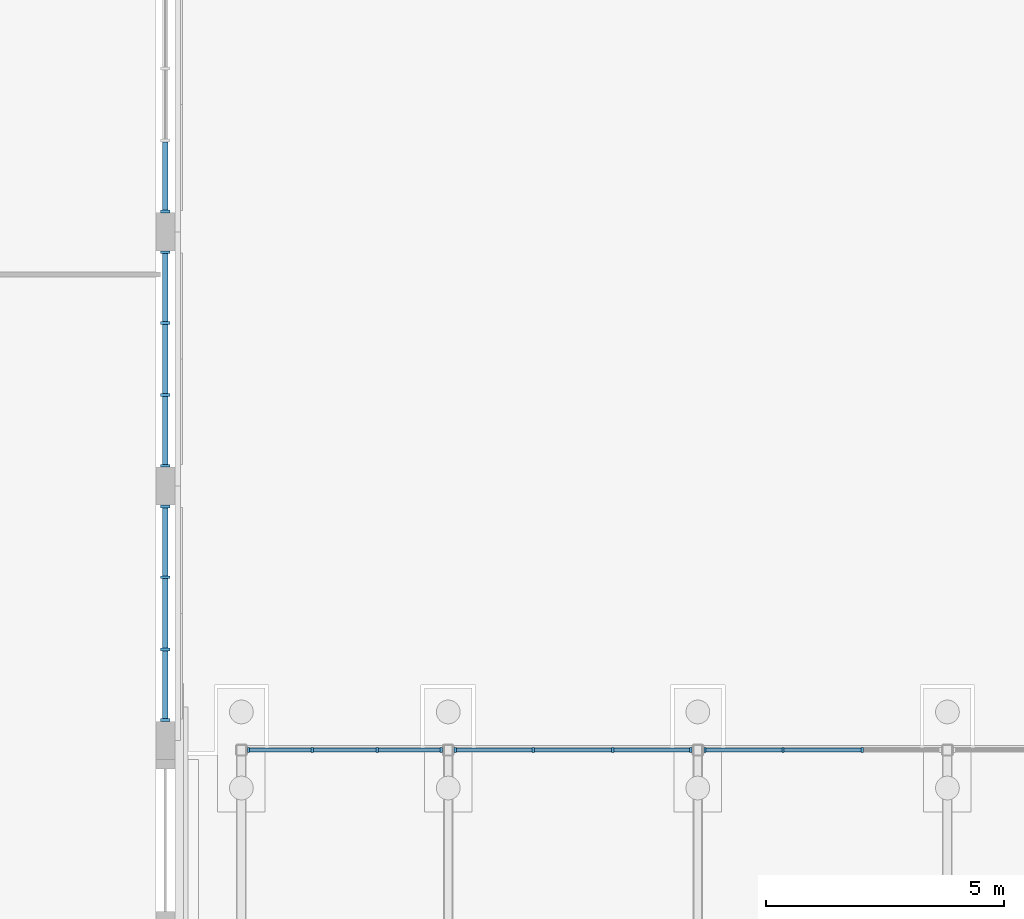
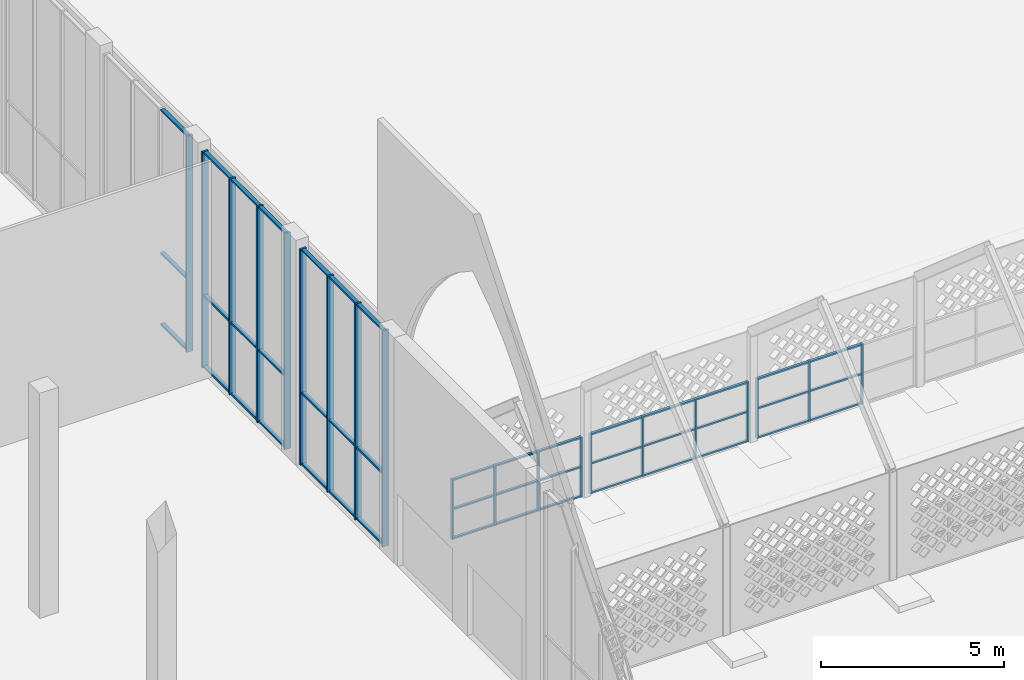
# One storey, part 25 of 79: 65 members, 6 elements without a shape of their own.
"""IFC4 building model written with IfcOpenShell, lengths in metres."""

from ifc_helpers import new_model, si_unit, direction, frame, origin, origin_2d, place, context, subcontext, project, spatial, rectangle, extrude, material, layer, layer_set, material_profile, profile_set, type_object, element, aggregate, save


model = new_model("IFC4")

# Units and contexts
model_context = context("Model", 3, precision=1e-05, world=origin(), true_north=direction((0.0, 1.0)))
body_context = subcontext(model_context, "Body", "Model", "MODEL_VIEW")
ifc_project = project(units=[si_unit("LENGTHUNIT", "METRE"), si_unit("AREAUNIT", "SQUARE_METRE"), si_unit("VOLUMEUNIT", "CUBIC_METRE"), si_unit("PLANEANGLEUNIT", "RADIAN"), si_unit("MASSUNIT", "GRAM", prefix="KILO")], contexts=[model_context])

# Site, building, storey
site_placement = place(None, origin())
site = spatial("IfcSite", under=ifc_project, at=site_placement, CompositionType="ELEMENT")
building_placement = place(site_placement, origin())
building = spatial("IfcBuilding", under=site, at=building_placement, Name="Noorbagh Ring Tower", CompositionType="ELEMENT")
storey_placement = place(building_placement, origin())
storey = spatial("IfcBuildingStorey", under=building, at=storey_placement, Name="L00", CompositionType="ELEMENT", Elevation=0.0)

# Curtain wall, members
ifc_material_1 = material(Name="Aluminium and glass", Category="aluminium")
ifc_layer_1 = layer(ifc_material_1, 0.10009765625)
ifc_layer_set_1 = layer_set([ifc_layer_1], Name="Aluminium and glass")
curtain_wall_type_1 = type_object("IfcCurtainWallType", Name="AR-CW", PredefinedType="NOTDEFINED", material=ifc_layer_set_1)
curtain_wall_1_placement = place(storey_placement, origin())
curtain_wall_1 = element("IfcCurtainWall", 1, at=curtain_wall_1_placement, inside=storey, type_object=curtain_wall_type_1, Name="Arcade glazing", PredefinedType="NOTDEFINED")
ifc_material_2 = material(Name="Aluminium", Category="aluminium")
ifc_material_profile_1 = material_profile(ifc_material_2, rectangle(XDim=0.10009765625, YDim=0.050048828125, at=origin_2d()), Name="AL 100x50")
ifc_profile_set_1 = profile_set([ifc_material_profile_1], Name="Aluminium")
member_type_1 = type_object("IfcMemberType", Name="AR-CW-MULLION", PredefinedType="MULLION", material=ifc_profile_set_1)
member_1_placement = place(storey_placement, frame((-93.449951171875, 8.800048828125, 0.0), z_axis=(0.0, 0.0, 1.0), x_axis=(0.0, 1.0, 0.0)))
member_1 = element("IfcMember", 2, at=member_1_placement, type_object=member_type_1, Name="CW-A mullion 1", PredefinedType="MULLION", context=body_context, shape_type="SweptSolid", body=[
    extrude(rectangle(XDim=0.10009765625, YDim=0.050048828125, at=origin_2d()), origin(), (0.0, 0.0, 1.0), 2.0),
])
member_2_placement = place(storey_placement, frame((-92.1083984375, 8.800048828125, 0.0), z_axis=(0.0, 0.0, 1.0), x_axis=(0.0, 1.0, 0.0)))
member_2 = element("IfcMember", 3, at=member_2_placement, type_object=member_type_1, Name="CW-A mullion 2", PredefinedType="MULLION", context=body_context, shape_type="SweptSolid", body=[
    extrude(rectangle(XDim=0.10009765625, YDim=0.050048828125, at=origin_2d()), origin(), (0.0, 0.0, 1.0), 2.0),
])
member_3_placement = place(storey_placement, frame((-90.74169921875, 8.800048828125, 0.0), z_axis=(0.0, 0.0, 1.0), x_axis=(0.0, 1.0, 0.0)))
member_3 = element("IfcMember", 4, at=member_3_placement, type_object=member_type_1, Name="CW-A mullion 3", PredefinedType="MULLION", context=body_context, shape_type="SweptSolid", body=[
    extrude(rectangle(XDim=0.10009765625, YDim=0.050048828125, at=origin_2d()), origin(), (0.0, 0.0, 1.0), 2.0),
])
member_4_placement = place(storey_placement, frame((-89.39990234375, 8.800048828125, 0.0), z_axis=(0.0, 0.0, 1.0), x_axis=(0.0, 1.0, 0.0)))
member_4 = element("IfcMember", 5, at=member_4_placement, type_object=member_type_1, Name="CW-A mullion 4", PredefinedType="MULLION", context=body_context, shape_type="SweptSolid", body=[
    extrude(rectangle(XDim=0.10009765625, YDim=0.050048828125, at=origin_2d()), origin(), (0.0, 0.0, 1.0), 2.0),
])

curtain_wall_2_placement = place(storey_placement, origin())
curtain_wall_2 = element("IfcCurtainWall", 6, at=curtain_wall_2_placement, inside=storey, type_object=curtain_wall_type_1, Name="Arcade glazing", PredefinedType="NOTDEFINED")
member_5_placement = place(storey_placement, frame((-89.10009765625, 8.800048828125, 0.0), z_axis=(0.0, 0.0, 1.0), x_axis=(0.0, 1.0, 0.0)))
member_5 = element("IfcMember", 7, at=member_5_placement, type_object=member_type_1, Name="CW-A mullion 1", PredefinedType="MULLION", context=body_context, shape_type="SweptSolid", body=[
    extrude(rectangle(XDim=0.10009765625, YDim=0.050048828125, at=origin_2d()), origin(), (0.0, 0.0, 1.0), 2.0),
])
member_6_placement = place(storey_placement, frame((-87.458251953125, 8.800048828125, 0.0), z_axis=(0.0, 0.0, 1.0), x_axis=(0.0, 1.0, 0.0)))
member_6 = element("IfcMember", 8, at=member_6_placement, type_object=member_type_1, Name="CW-A mullion 2", PredefinedType="MULLION", context=body_context, shape_type="SweptSolid", body=[
    extrude(rectangle(XDim=0.10009765625, YDim=0.050048828125, at=origin_2d()), origin(), (0.0, 0.0, 1.0), 2.0),
])
member_7_placement = place(storey_placement, frame((-85.791748046875, 8.800048828125, 0.0), z_axis=(0.0, 0.0, 1.0), x_axis=(0.0, 1.0, 0.0)))
member_7 = element("IfcMember", 9, at=member_7_placement, type_object=member_type_1, Name="CW-A mullion 3", PredefinedType="MULLION", context=body_context, shape_type="SweptSolid", body=[
    extrude(rectangle(XDim=0.10009765625, YDim=0.050048828125, at=origin_2d()), origin(), (0.0, 0.0, 1.0), 2.0),
])
member_8_placement = place(storey_placement, frame((-84.14990234375, 8.800048828125, 0.0), z_axis=(0.0, 0.0, 1.0), x_axis=(0.0, 1.0, 0.0)))
member_8 = element("IfcMember", 10, at=member_8_placement, type_object=member_type_1, Name="CW-A mullion 4", PredefinedType="MULLION", context=body_context, shape_type="SweptSolid", body=[
    extrude(rectangle(XDim=0.10009765625, YDim=0.050048828125, at=origin_2d()), origin(), (0.0, 0.0, 1.0), 2.0),
])

curtain_wall_3_placement = place(storey_placement, origin())
curtain_wall_3 = element("IfcCurtainWall", 11, at=curtain_wall_3_placement, inside=storey, type_object=curtain_wall_type_1, Name="Arcade glazing", PredefinedType="NOTDEFINED")
member_9_placement = place(storey_placement, frame((-83.85009765625, 8.800048828125, 0.0), z_axis=(0.0, 0.0, 1.0), x_axis=(0.0, 1.0, 0.0)))
member_9 = element("IfcMember", 12, at=member_9_placement, type_object=member_type_1, Name="CW-A mullion 1", PredefinedType="MULLION", context=body_context, shape_type="SweptSolid", body=[
    extrude(rectangle(XDim=0.10009765625, YDim=0.050048828125, at=origin_2d()), origin(), (0.0, 0.0, 1.0), 2.0),
])
member_10_placement = place(storey_placement, frame((-82.208251953125, 8.800048828125, 0.0), z_axis=(0.0, 0.0, 1.0), x_axis=(0.0, 1.0, 0.0)))
member_10 = element("IfcMember", 13, at=member_10_placement, type_object=member_type_1, Name="CW-A mullion 2", PredefinedType="MULLION", context=body_context, shape_type="SweptSolid", body=[
    extrude(rectangle(XDim=0.10009765625, YDim=0.050048828125, at=origin_2d()), origin(), (0.0, 0.0, 1.0), 2.0),
])
member_11_placement = place(storey_placement, frame((-80.541748046875, 8.800048828125, 0.0), z_axis=(0.0, 0.0, 1.0), x_axis=(0.0, 1.0, 0.0)))
member_11 = element("IfcMember", 14, at=member_11_placement, type_object=member_type_1, Name="CW-A mullion 3", PredefinedType="MULLION", context=body_context, shape_type="SweptSolid", body=[
    extrude(rectangle(XDim=0.10009765625, YDim=0.050048828125, at=origin_2d()), origin(), (0.0, 0.0, 1.0), 2.0),
])

# Member
ifc_material_3 = material(Name="Aluminium", Category="aluminium")
ifc_material_profile_2 = material_profile(ifc_material_3, rectangle(XDim=0.080078125, YDim=0.050048828125, at=origin_2d()), Name="AL 80x50")
ifc_profile_set_2 = profile_set([ifc_material_profile_2], Name="Aluminium")
member_type_2 = type_object("IfcMemberType", Name="AR-CW-TRANSOM", PredefinedType="USERDEFINED", material=ifc_profile_set_2)
member_12_placement = place(storey_placement, frame((-93.425048828125, 8.800048828125, 0.02490234375), z_axis=(1.0, 0.0, 0.0), x_axis=(0.0, 1.0, 0.0)))
member_12 = element("IfcMember", 15, at=member_12_placement, type_object=member_type_2, Name="CW-A transom 1.1", ObjectType="TRANSOM", PredefinedType="USERDEFINED", context=body_context, shape_type="SweptSolid", body=[
    extrude(rectangle(XDim=0.080078125, YDim=0.050048828125, at=origin_2d()), origin(), (0.0, 0.0, 1.0), 1.291748046875),
])

member_13_placement = place(storey_placement, frame((-93.425048828125, 8.800048828125, 1.0), z_axis=(1.0, 0.0, 0.0), x_axis=(0.0, 1.0, 0.0)))
member_13 = element("IfcMember", 16, at=member_13_placement, type_object=member_type_2, Name="CW-A transom 1.2", ObjectType="TRANSOM", PredefinedType="USERDEFINED", context=body_context, shape_type="SweptSolid", body=[
    extrude(rectangle(XDim=0.080078125, YDim=0.050048828125, at=origin_2d()), origin(), (0.0, 0.0, 1.0), 1.291748046875),
])

member_14_placement = place(storey_placement, frame((-93.425048828125, 8.800048828125, 1.97509765625), z_axis=(1.0, 0.0, 0.0), x_axis=(0.0, 1.0, 0.0)))
member_14 = element("IfcMember", 17, at=member_14_placement, type_object=member_type_2, Name="CW-A transom 1.3", ObjectType="TRANSOM", PredefinedType="USERDEFINED", context=body_context, shape_type="SweptSolid", body=[
    extrude(rectangle(XDim=0.080078125, YDim=0.050048828125, at=origin_2d()), origin(), (0.0, 0.0, 1.0), 1.291748046875),
])

member_15_placement = place(storey_placement, frame((-92.083251953125, 8.800048828125, 0.02490234375), z_axis=(1.0, 0.0, 0.0), x_axis=(0.0, 1.0, 0.0)))
member_15 = element("IfcMember", 18, at=member_15_placement, type_object=member_type_2, Name="CW-A transom 2.1", ObjectType="TRANSOM", PredefinedType="USERDEFINED", context=body_context, shape_type="SweptSolid", body=[
    extrude(rectangle(XDim=0.080078125, YDim=0.050048828125, at=origin_2d()), origin(), (0.0, 0.0, 1.0), 1.316650390625),
])

member_16_placement = place(storey_placement, frame((-92.083251953125, 8.800048828125, 1.0), z_axis=(1.0, 0.0, 0.0), x_axis=(0.0, 1.0, 0.0)))
member_16 = element("IfcMember", 19, at=member_16_placement, type_object=member_type_2, Name="CW-A transom 2.2", ObjectType="TRANSOM", PredefinedType="USERDEFINED", context=body_context, shape_type="SweptSolid", body=[
    extrude(rectangle(XDim=0.080078125, YDim=0.050048828125, at=origin_2d()), origin(), (0.0, 0.0, 1.0), 1.316650390625),
])

member_17_placement = place(storey_placement, frame((-92.083251953125, 8.800048828125, 1.97509765625), z_axis=(1.0, 0.0, 0.0), x_axis=(0.0, 1.0, 0.0)))
member_17 = element("IfcMember", 20, at=member_17_placement, type_object=member_type_2, Name="CW-A transom 2.3", ObjectType="TRANSOM", PredefinedType="USERDEFINED", context=body_context, shape_type="SweptSolid", body=[
    extrude(rectangle(XDim=0.080078125, YDim=0.050048828125, at=origin_2d()), origin(), (0.0, 0.0, 1.0), 1.316650390625),
])

member_18_placement = place(storey_placement, frame((-90.716552734375, 8.800048828125, 0.02490234375), z_axis=(1.0, 0.0, 0.0), x_axis=(0.0, 1.0, 0.0)))
member_18 = element("IfcMember", 21, at=member_18_placement, type_object=member_type_2, Name="CW-A transom 3.1", ObjectType="TRANSOM", PredefinedType="USERDEFINED", context=body_context, shape_type="SweptSolid", body=[
    extrude(rectangle(XDim=0.080078125, YDim=0.050048828125, at=origin_2d()), origin(), (0.0, 0.0, 1.0), 1.29150390625),
])

member_19_placement = place(storey_placement, frame((-90.716552734375, 8.800048828125, 1.0), z_axis=(1.0, 0.0, 0.0), x_axis=(0.0, 1.0, 0.0)))
member_19 = element("IfcMember", 22, at=member_19_placement, type_object=member_type_2, Name="CW-A transom 3.2", ObjectType="TRANSOM", PredefinedType="USERDEFINED", context=body_context, shape_type="SweptSolid", body=[
    extrude(rectangle(XDim=0.080078125, YDim=0.050048828125, at=origin_2d()), origin(), (0.0, 0.0, 1.0), 1.29150390625),
])

member_20_placement = place(storey_placement, frame((-90.716552734375, 8.800048828125, 1.97509765625), z_axis=(1.0, 0.0, 0.0), x_axis=(0.0, 1.0, 0.0)))
member_20 = element("IfcMember", 23, at=member_20_placement, type_object=member_type_2, Name="CW-A transom 3.3", ObjectType="TRANSOM", PredefinedType="USERDEFINED", context=body_context, shape_type="SweptSolid", body=[
    extrude(rectangle(XDim=0.080078125, YDim=0.050048828125, at=origin_2d()), origin(), (0.0, 0.0, 1.0), 1.29150390625),
])

aggregate(curtain_wall_1, [member_1, member_2, member_3, member_4, member_12, member_13, member_14, member_15, member_16, member_17, member_18, member_19, member_20])

member_21_placement = place(storey_placement, frame((-89.074951171875, 8.800048828125, 0.02490234375), z_axis=(1.0, 0.0, 0.0), x_axis=(0.0, 1.0, 0.0)))
member_21 = element("IfcMember", 24, at=member_21_placement, type_object=member_type_2, Name="CW-A transom 1.1", ObjectType="TRANSOM", PredefinedType="USERDEFINED", context=body_context, shape_type="SweptSolid", body=[
    extrude(rectangle(XDim=0.080078125, YDim=0.050048828125, at=origin_2d()), origin(), (0.0, 0.0, 1.0), 1.591552734375),
])

member_22_placement = place(storey_placement, frame((-89.074951171875, 8.800048828125, 1.0), z_axis=(1.0, 0.0, 0.0), x_axis=(0.0, 1.0, 0.0)))
member_22 = element("IfcMember", 25, at=member_22_placement, type_object=member_type_2, Name="CW-A transom 1.2", ObjectType="TRANSOM", PredefinedType="USERDEFINED", context=body_context, shape_type="SweptSolid", body=[
    extrude(rectangle(XDim=0.080078125, YDim=0.050048828125, at=origin_2d()), origin(), (0.0, 0.0, 1.0), 1.591552734375),
])

member_23_placement = place(storey_placement, frame((-89.074951171875, 8.800048828125, 1.97509765625), z_axis=(1.0, 0.0, 0.0), x_axis=(0.0, 1.0, 0.0)))
member_23 = element("IfcMember", 26, at=member_23_placement, type_object=member_type_2, Name="CW-A transom 1.3", ObjectType="TRANSOM", PredefinedType="USERDEFINED", context=body_context, shape_type="SweptSolid", body=[
    extrude(rectangle(XDim=0.080078125, YDim=0.050048828125, at=origin_2d()), origin(), (0.0, 0.0, 1.0), 1.591552734375),
])

member_24_placement = place(storey_placement, frame((-87.433349609375, 8.800048828125, 0.02490234375), z_axis=(1.0, 0.0, 0.0), x_axis=(0.0, 1.0, 0.0)))
member_24 = element("IfcMember", 27, at=member_24_placement, type_object=member_type_2, Name="CW-A transom 2.1", ObjectType="TRANSOM", PredefinedType="USERDEFINED", context=body_context, shape_type="SweptSolid", body=[
    extrude(rectangle(XDim=0.080078125, YDim=0.050048828125, at=origin_2d()), origin(), (0.0, 0.0, 1.0), 1.61669921875),
])

member_25_placement = place(storey_placement, frame((-87.433349609375, 8.800048828125, 1.0), z_axis=(1.0, 0.0, 0.0), x_axis=(0.0, 1.0, 0.0)))
member_25 = element("IfcMember", 28, at=member_25_placement, type_object=member_type_2, Name="CW-A transom 2.2", ObjectType="TRANSOM", PredefinedType="USERDEFINED", context=body_context, shape_type="SweptSolid", body=[
    extrude(rectangle(XDim=0.080078125, YDim=0.050048828125, at=origin_2d()), origin(), (0.0, 0.0, 1.0), 1.61669921875),
])

member_26_placement = place(storey_placement, frame((-87.433349609375, 8.800048828125, 1.97509765625), z_axis=(1.0, 0.0, 0.0), x_axis=(0.0, 1.0, 0.0)))
member_26 = element("IfcMember", 29, at=member_26_placement, type_object=member_type_2, Name="CW-A transom 2.3", ObjectType="TRANSOM", PredefinedType="USERDEFINED", context=body_context, shape_type="SweptSolid", body=[
    extrude(rectangle(XDim=0.080078125, YDim=0.050048828125, at=origin_2d()), origin(), (0.0, 0.0, 1.0), 1.61669921875),
])

member_27_placement = place(storey_placement, frame((-85.7666015625, 8.800048828125, 0.02490234375), z_axis=(1.0, 0.0, 0.0), x_axis=(0.0, 1.0, 0.0)))
member_27 = element("IfcMember", 30, at=member_27_placement, type_object=member_type_2, Name="CW-A transom 3.1", ObjectType="TRANSOM", PredefinedType="USERDEFINED", context=body_context, shape_type="SweptSolid", body=[
    extrude(rectangle(XDim=0.080078125, YDim=0.050048828125, at=origin_2d()), origin(), (0.0, 0.0, 1.0), 1.591552734375),
])

member_28_placement = place(storey_placement, frame((-85.7666015625, 8.800048828125, 1.0), z_axis=(1.0, 0.0, 0.0), x_axis=(0.0, 1.0, 0.0)))
member_28 = element("IfcMember", 31, at=member_28_placement, type_object=member_type_2, Name="CW-A transom 3.2", ObjectType="TRANSOM", PredefinedType="USERDEFINED", context=body_context, shape_type="SweptSolid", body=[
    extrude(rectangle(XDim=0.080078125, YDim=0.050048828125, at=origin_2d()), origin(), (0.0, 0.0, 1.0), 1.591552734375),
])

member_29_placement = place(storey_placement, frame((-85.7666015625, 8.800048828125, 1.97509765625), z_axis=(1.0, 0.0, 0.0), x_axis=(0.0, 1.0, 0.0)))
member_29 = element("IfcMember", 32, at=member_29_placement, type_object=member_type_2, Name="CW-A transom 3.3", ObjectType="TRANSOM", PredefinedType="USERDEFINED", context=body_context, shape_type="SweptSolid", body=[
    extrude(rectangle(XDim=0.080078125, YDim=0.050048828125, at=origin_2d()), origin(), (0.0, 0.0, 1.0), 1.591552734375),
])

aggregate(curtain_wall_2, [member_5, member_6, member_7, member_8, member_21, member_22, member_23, member_24, member_25, member_26, member_27, member_28, member_29])

member_30_placement = place(storey_placement, frame((-83.824951171875, 8.800048828125, 0.02490234375), z_axis=(1.0, 0.0, 0.0), x_axis=(0.0, 1.0, 0.0)))
member_30 = element("IfcMember", 33, at=member_30_placement, type_object=member_type_2, Name="CW-A transom 1.1", ObjectType="TRANSOM", PredefinedType="USERDEFINED", context=body_context, shape_type="SweptSolid", body=[
    extrude(rectangle(XDim=0.080078125, YDim=0.050048828125, at=origin_2d()), origin(), (0.0, 0.0, 1.0), 1.591552734375),
])

member_31_placement = place(storey_placement, frame((-83.824951171875, 8.800048828125, 1.0), z_axis=(1.0, 0.0, 0.0), x_axis=(0.0, 1.0, 0.0)))
member_31 = element("IfcMember", 34, at=member_31_placement, type_object=member_type_2, Name="CW-A transom 1.2", ObjectType="TRANSOM", PredefinedType="USERDEFINED", context=body_context, shape_type="SweptSolid", body=[
    extrude(rectangle(XDim=0.080078125, YDim=0.050048828125, at=origin_2d()), origin(), (0.0, 0.0, 1.0), 1.591552734375),
])

member_32_placement = place(storey_placement, frame((-83.824951171875, 8.800048828125, 1.97509765625), z_axis=(1.0, 0.0, 0.0), x_axis=(0.0, 1.0, 0.0)))
member_32 = element("IfcMember", 35, at=member_32_placement, type_object=member_type_2, Name="CW-A transom 1.3", ObjectType="TRANSOM", PredefinedType="USERDEFINED", context=body_context, shape_type="SweptSolid", body=[
    extrude(rectangle(XDim=0.080078125, YDim=0.050048828125, at=origin_2d()), origin(), (0.0, 0.0, 1.0), 1.591552734375),
])

member_33_placement = place(storey_placement, frame((-82.183349609375, 8.800048828125, 0.02490234375), z_axis=(1.0, 0.0, 0.0), x_axis=(0.0, 1.0, 0.0)))
member_33 = element("IfcMember", 36, at=member_33_placement, type_object=member_type_2, Name="CW-A transom 2.1", ObjectType="TRANSOM", PredefinedType="USERDEFINED", context=body_context, shape_type="SweptSolid", body=[
    extrude(rectangle(XDim=0.080078125, YDim=0.050048828125, at=origin_2d()), origin(), (0.0, 0.0, 1.0), 1.61669921875),
])

member_34_placement = place(storey_placement, frame((-82.183349609375, 8.800048828125, 1.0), z_axis=(1.0, 0.0, 0.0), x_axis=(0.0, 1.0, 0.0)))
member_34 = element("IfcMember", 37, at=member_34_placement, type_object=member_type_2, Name="CW-A transom 2.2", ObjectType="TRANSOM", PredefinedType="USERDEFINED", context=body_context, shape_type="SweptSolid", body=[
    extrude(rectangle(XDim=0.080078125, YDim=0.050048828125, at=origin_2d()), origin(), (0.0, 0.0, 1.0), 1.61669921875),
])

member_35_placement = place(storey_placement, frame((-82.183349609375, 8.800048828125, 1.97509765625), z_axis=(1.0, 0.0, 0.0), x_axis=(0.0, 1.0, 0.0)))
member_35 = element("IfcMember", 38, at=member_35_placement, type_object=member_type_2, Name="CW-A transom 2.3", ObjectType="TRANSOM", PredefinedType="USERDEFINED", context=body_context, shape_type="SweptSolid", body=[
    extrude(rectangle(XDim=0.080078125, YDim=0.050048828125, at=origin_2d()), origin(), (0.0, 0.0, 1.0), 1.61669921875),
])

aggregate(curtain_wall_3, [member_9, member_10, member_11, member_30, member_31, member_32, member_33, member_34, member_35])

# Curtain wall, members
ifc_material_4 = material(Name="Aluminium and glass", Category="aluminium")
ifc_layer_2 = layer(ifc_material_4, 0.199951171875)
ifc_layer_set_2 = layer_set([ifc_layer_2], Name="Aluminium and glass")
curtain_wall_type_2 = type_object("IfcCurtainWallType", Name="TH-CW", PredefinedType="NOTDEFINED", material=ifc_layer_set_2)
curtain_wall_4_placement = place(storey_placement, origin())
curtain_wall_4 = element("IfcCurtainWall", 39, at=curtain_wall_4_placement, inside=storey, type_object=curtain_wall_type_2, Name="Foyer glazing", PredefinedType="NOTDEFINED")
ifc_material_5 = material(Name="Aluminium", Category="aluminium")
ifc_material_profile_3 = material_profile(ifc_material_5, rectangle(XDim=0.199951171875, YDim=0.06005859375, at=origin_2d()), Name="AL 200x60")
ifc_profile_set_3 = profile_set([ifc_material_profile_3], Name="Aluminium")
member_type_3 = type_object("IfcMemberType", Name="TH-CW-MULLION", PredefinedType="MULLION", material=ifc_profile_set_3)
member_36_placement = place(storey_placement, frame((-95.199951171875, 9.429931640625, 0.0), z_axis=(0.0, 0.0, 1.0), x_axis=(-1.0, 0.0, 0.0)))
member_36 = element("IfcMember", 40, at=member_36_placement, type_object=member_type_3, Name="CW-T mullion 1", PredefinedType="MULLION", context=body_context, shape_type="SweptSolid", body=[
    extrude(rectangle(XDim=0.199951171875, YDim=0.06005859375, at=origin_2d()), origin(), (0.0, 0.0, 1.0), 7.199951171875),
])
member_37_placement = place(storey_placement, frame((-95.199951171875, 10.916748046875, 0.0), z_axis=(0.0, 0.0, 1.0), x_axis=(-1.0, 0.0, 0.0)))
member_37 = element("IfcMember", 41, at=member_37_placement, type_object=member_type_3, Name="CW-T mullion 2", PredefinedType="MULLION", context=body_context, shape_type="SweptSolid", body=[
    extrude(rectangle(XDim=0.199951171875, YDim=0.06005859375, at=origin_2d()), origin(), (0.0, 0.0, 1.0), 7.199951171875),
])
member_38_placement = place(storey_placement, frame((-95.199951171875, 12.433349609375, 0.0), z_axis=(0.0, 0.0, 1.0), x_axis=(-1.0, 0.0, 0.0)))
member_38 = element("IfcMember", 42, at=member_38_placement, type_object=member_type_3, Name="CW-T mullion 3", PredefinedType="MULLION", context=body_context, shape_type="SweptSolid", body=[
    extrude(rectangle(XDim=0.199951171875, YDim=0.06005859375, at=origin_2d()), origin(), (0.0, 0.0, 1.0), 7.199951171875),
])
member_39_placement = place(storey_placement, frame((-95.199951171875, 13.919921875, 0.0), z_axis=(0.0, 0.0, 1.0), x_axis=(-1.0, 0.0, 0.0)))
member_39 = element("IfcMember", 43, at=member_39_placement, type_object=member_type_3, Name="CW-T mullion 4", PredefinedType="MULLION", context=body_context, shape_type="SweptSolid", body=[
    extrude(rectangle(XDim=0.199951171875, YDim=0.06005859375, at=origin_2d()), origin(), (0.0, 0.0, 1.0), 7.199951171875),
])

curtain_wall_5_placement = place(storey_placement, origin())
curtain_wall_5 = element("IfcCurtainWall", 44, at=curtain_wall_5_placement, inside=storey, type_object=curtain_wall_type_2, Name="Foyer glazing", PredefinedType="NOTDEFINED")
member_40_placement = place(storey_placement, frame((-95.199951171875, 14.780029296875, 0.0), z_axis=(0.0, 0.0, 1.0), x_axis=(-1.0, 0.0, 0.0)))
member_40 = element("IfcMember", 45, at=member_40_placement, type_object=member_type_3, Name="CW-T mullion 1", PredefinedType="MULLION", context=body_context, shape_type="SweptSolid", body=[
    extrude(rectangle(XDim=0.199951171875, YDim=0.06005859375, at=origin_2d()), origin(), (0.0, 0.0, 1.0), 7.199951171875),
])
member_41_placement = place(storey_placement, frame((-95.199951171875, 16.2666015625, 0.0), z_axis=(0.0, 0.0, 1.0), x_axis=(-1.0, 0.0, 0.0)))
member_41 = element("IfcMember", 46, at=member_41_placement, type_object=member_type_3, Name="CW-T mullion 2", PredefinedType="MULLION", context=body_context, shape_type="SweptSolid", body=[
    extrude(rectangle(XDim=0.199951171875, YDim=0.06005859375, at=origin_2d()), origin(), (0.0, 0.0, 1.0), 7.199951171875),
])
member_42_placement = place(storey_placement, frame((-95.199951171875, 17.783447265625, 0.0), z_axis=(0.0, 0.0, 1.0), x_axis=(-1.0, 0.0, 0.0)))
member_42 = element("IfcMember", 47, at=member_42_placement, type_object=member_type_3, Name="CW-T mullion 3", PredefinedType="MULLION", context=body_context, shape_type="SweptSolid", body=[
    extrude(rectangle(XDim=0.199951171875, YDim=0.06005859375, at=origin_2d()), origin(), (0.0, 0.0, 1.0), 7.199951171875),
])
member_43_placement = place(storey_placement, frame((-95.199951171875, 19.27001953125, 0.0), z_axis=(0.0, 0.0, 1.0), x_axis=(-1.0, 0.0, 0.0)))
member_43 = element("IfcMember", 48, at=member_43_placement, type_object=member_type_3, Name="CW-T mullion 4", PredefinedType="MULLION", context=body_context, shape_type="SweptSolid", body=[
    extrude(rectangle(XDim=0.199951171875, YDim=0.06005859375, at=origin_2d()), origin(), (0.0, 0.0, 1.0), 7.199951171875),
])

# Curtain wall, member
curtain_wall_6_placement = place(storey_placement, origin())
curtain_wall_6 = element("IfcCurtainWall", 49, at=curtain_wall_6_placement, inside=storey, type_object=curtain_wall_type_2, Name="Foyer glazing", PredefinedType="NOTDEFINED")
member_44_placement = place(storey_placement, frame((-95.199951171875, 20.1298828125, 0.0), z_axis=(0.0, 0.0, 1.0), x_axis=(-1.0, 0.0, 0.0)))
member_44 = element("IfcMember", 50, at=member_44_placement, type_object=member_type_3, Name="CW-T mullion 1", PredefinedType="MULLION", context=body_context, shape_type="SweptSolid", body=[
    extrude(rectangle(XDim=0.199951171875, YDim=0.06005859375, at=origin_2d()), origin(), (0.0, 0.0, 1.0), 7.199951171875),
])

# Member
ifc_material_6 = material(Name="Aluminium", Category="aluminium")
ifc_material_profile_4 = material_profile(ifc_material_6, rectangle(XDim=0.1201171875, YDim=0.06005859375, at=origin_2d()), Name="AL 120x60")
ifc_profile_set_4 = profile_set([ifc_material_profile_4], Name="Aluminium")
member_type_4 = type_object("IfcMemberType", Name="TH-CW-TRANSOM", PredefinedType="USERDEFINED", material=ifc_profile_set_4)
member_45_placement = place(storey_placement, frame((-95.199951171875, 9.4599609375, 0.030029296875), z_axis=(0.0, 1.0, 0.0), x_axis=(-1.0, 0.0, 0.0)))
member_45 = element("IfcMember", 51, at=member_45_placement, type_object=member_type_4, Name="CW-T transom 1.1", ObjectType="TRANSOM", PredefinedType="USERDEFINED", context=body_context, shape_type="SweptSolid", body=[
    extrude(rectangle(XDim=0.1201171875, YDim=0.06005859375, at=origin_2d()), origin(), (0.0, 0.0, 1.0), 1.4267578125),
])

member_46_placement = place(storey_placement, frame((-95.199951171875, 9.4599609375, 2.39990234375), z_axis=(0.0, 1.0, 0.0), x_axis=(-1.0, 0.0, 0.0)))
member_46 = element("IfcMember", 52, at=member_46_placement, type_object=member_type_4, Name="CW-T transom 1.2", ObjectType="TRANSOM", PredefinedType="USERDEFINED", context=body_context, shape_type="SweptSolid", body=[
    extrude(rectangle(XDim=0.1201171875, YDim=0.06005859375, at=origin_2d()), origin(), (0.0, 0.0, 1.0), 1.4267578125),
])

member_47_placement = place(storey_placement, frame((-95.199951171875, 9.4599609375, 7.169921875), z_axis=(0.0, 1.0, 0.0), x_axis=(-1.0, 0.0, 0.0)))
member_47 = element("IfcMember", 53, at=member_47_placement, type_object=member_type_4, Name="CW-T transom 1.3", ObjectType="TRANSOM", PredefinedType="USERDEFINED", context=body_context, shape_type="SweptSolid", body=[
    extrude(rectangle(XDim=0.1201171875, YDim=0.06005859375, at=origin_2d()), origin(), (0.0, 0.0, 1.0), 1.4267578125),
])

member_48_placement = place(storey_placement, frame((-95.199951171875, 10.94677734375, 0.030029296875), z_axis=(0.0, 1.0, 0.0), x_axis=(-1.0, 0.0, 0.0)))
member_48 = element("IfcMember", 54, at=member_48_placement, type_object=member_type_4, Name="CW-T transom 2.1", ObjectType="TRANSOM", PredefinedType="USERDEFINED", context=body_context, shape_type="SweptSolid", body=[
    extrude(rectangle(XDim=0.1201171875, YDim=0.06005859375, at=origin_2d()), origin(), (0.0, 0.0, 1.0), 1.45654296875),
])

member_49_placement = place(storey_placement, frame((-95.199951171875, 10.94677734375, 2.39990234375), z_axis=(0.0, 1.0, 0.0), x_axis=(-1.0, 0.0, 0.0)))
member_49 = element("IfcMember", 55, at=member_49_placement, type_object=member_type_4, Name="CW-T transom 2.2", ObjectType="TRANSOM", PredefinedType="USERDEFINED", context=body_context, shape_type="SweptSolid", body=[
    extrude(rectangle(XDim=0.1201171875, YDim=0.06005859375, at=origin_2d()), origin(), (0.0, 0.0, 1.0), 1.45654296875),
])

member_50_placement = place(storey_placement, frame((-95.199951171875, 10.94677734375, 7.169921875), z_axis=(0.0, 1.0, 0.0), x_axis=(-1.0, 0.0, 0.0)))
member_50 = element("IfcMember", 56, at=member_50_placement, type_object=member_type_4, Name="CW-T transom 2.3", ObjectType="TRANSOM", PredefinedType="USERDEFINED", context=body_context, shape_type="SweptSolid", body=[
    extrude(rectangle(XDim=0.1201171875, YDim=0.06005859375, at=origin_2d()), origin(), (0.0, 0.0, 1.0), 1.45654296875),
])

member_51_placement = place(storey_placement, frame((-95.199951171875, 12.46337890625, 0.030029296875), z_axis=(0.0, 1.0, 0.0), x_axis=(-1.0, 0.0, 0.0)))
member_51 = element("IfcMember", 57, at=member_51_placement, type_object=member_type_4, Name="CW-T transom 3.1", ObjectType="TRANSOM", PredefinedType="USERDEFINED", context=body_context, shape_type="SweptSolid", body=[
    extrude(rectangle(XDim=0.1201171875, YDim=0.06005859375, at=origin_2d()), origin(), (0.0, 0.0, 1.0), 1.426513671875),
])

member_52_placement = place(storey_placement, frame((-95.199951171875, 12.46337890625, 2.39990234375), z_axis=(0.0, 1.0, 0.0), x_axis=(-1.0, 0.0, 0.0)))
member_52 = element("IfcMember", 58, at=member_52_placement, type_object=member_type_4, Name="CW-T transom 3.2", ObjectType="TRANSOM", PredefinedType="USERDEFINED", context=body_context, shape_type="SweptSolid", body=[
    extrude(rectangle(XDim=0.1201171875, YDim=0.06005859375, at=origin_2d()), origin(), (0.0, 0.0, 1.0), 1.426513671875),
])

member_53_placement = place(storey_placement, frame((-95.199951171875, 12.46337890625, 7.169921875), z_axis=(0.0, 1.0, 0.0), x_axis=(-1.0, 0.0, 0.0)))
member_53 = element("IfcMember", 59, at=member_53_placement, type_object=member_type_4, Name="CW-T transom 3.3", ObjectType="TRANSOM", PredefinedType="USERDEFINED", context=body_context, shape_type="SweptSolid", body=[
    extrude(rectangle(XDim=0.1201171875, YDim=0.06005859375, at=origin_2d()), origin(), (0.0, 0.0, 1.0), 1.426513671875),
])

aggregate(curtain_wall_4, [member_36, member_37, member_38, member_39, member_45, member_46, member_47, member_48, member_49, member_50, member_51, member_52, member_53])

member_54_placement = place(storey_placement, frame((-95.199951171875, 14.81005859375, 0.030029296875), z_axis=(0.0, 1.0, 0.0), x_axis=(-1.0, 0.0, 0.0)))
member_54 = element("IfcMember", 60, at=member_54_placement, type_object=member_type_4, Name="CW-T transom 1.1", ObjectType="TRANSOM", PredefinedType="USERDEFINED", context=body_context, shape_type="SweptSolid", body=[
    extrude(rectangle(XDim=0.1201171875, YDim=0.06005859375, at=origin_2d()), origin(), (0.0, 0.0, 1.0), 1.426513671875),
])

member_55_placement = place(storey_placement, frame((-95.199951171875, 14.81005859375, 2.39990234375), z_axis=(0.0, 1.0, 0.0), x_axis=(-1.0, 0.0, 0.0)))
member_55 = element("IfcMember", 61, at=member_55_placement, type_object=member_type_4, Name="CW-T transom 1.2", ObjectType="TRANSOM", PredefinedType="USERDEFINED", context=body_context, shape_type="SweptSolid", body=[
    extrude(rectangle(XDim=0.1201171875, YDim=0.06005859375, at=origin_2d()), origin(), (0.0, 0.0, 1.0), 1.426513671875),
])

member_56_placement = place(storey_placement, frame((-95.199951171875, 14.81005859375, 7.169921875), z_axis=(0.0, 1.0, 0.0), x_axis=(-1.0, 0.0, 0.0)))
member_56 = element("IfcMember", 62, at=member_56_placement, type_object=member_type_4, Name="CW-T transom 1.3", ObjectType="TRANSOM", PredefinedType="USERDEFINED", context=body_context, shape_type="SweptSolid", body=[
    extrude(rectangle(XDim=0.1201171875, YDim=0.06005859375, at=origin_2d()), origin(), (0.0, 0.0, 1.0), 1.426513671875),
])

member_57_placement = place(storey_placement, frame((-95.199951171875, 16.296630859375, 0.030029296875), z_axis=(0.0, 1.0, 0.0), x_axis=(-1.0, 0.0, 0.0)))
member_57 = element("IfcMember", 63, at=member_57_placement, type_object=member_type_4, Name="CW-T transom 2.1", ObjectType="TRANSOM", PredefinedType="USERDEFINED", context=body_context, shape_type="SweptSolid", body=[
    extrude(rectangle(XDim=0.1201171875, YDim=0.06005859375, at=origin_2d()), origin(), (0.0, 0.0, 1.0), 1.456787109375),
])

member_58_placement = place(storey_placement, frame((-95.199951171875, 16.296630859375, 2.39990234375), z_axis=(0.0, 1.0, 0.0), x_axis=(-1.0, 0.0, 0.0)))
member_58 = element("IfcMember", 64, at=member_58_placement, type_object=member_type_4, Name="CW-T transom 2.2", ObjectType="TRANSOM", PredefinedType="USERDEFINED", context=body_context, shape_type="SweptSolid", body=[
    extrude(rectangle(XDim=0.1201171875, YDim=0.06005859375, at=origin_2d()), origin(), (0.0, 0.0, 1.0), 1.456787109375),
])

member_59_placement = place(storey_placement, frame((-95.199951171875, 16.296630859375, 7.169921875), z_axis=(0.0, 1.0, 0.0), x_axis=(-1.0, 0.0, 0.0)))
member_59 = element("IfcMember", 65, at=member_59_placement, type_object=member_type_4, Name="CW-T transom 2.3", ObjectType="TRANSOM", PredefinedType="USERDEFINED", context=body_context, shape_type="SweptSolid", body=[
    extrude(rectangle(XDim=0.1201171875, YDim=0.06005859375, at=origin_2d()), origin(), (0.0, 0.0, 1.0), 1.456787109375),
])

member_60_placement = place(storey_placement, frame((-95.199951171875, 17.813232421875, 0.030029296875), z_axis=(0.0, 1.0, 0.0), x_axis=(-1.0, 0.0, 0.0)))
member_60 = element("IfcMember", 66, at=member_60_placement, type_object=member_type_4, Name="CW-T transom 3.1", ObjectType="TRANSOM", PredefinedType="USERDEFINED", context=body_context, shape_type="SweptSolid", body=[
    extrude(rectangle(XDim=0.1201171875, YDim=0.06005859375, at=origin_2d()), origin(), (0.0, 0.0, 1.0), 1.4267578125),
])

member_61_placement = place(storey_placement, frame((-95.199951171875, 17.813232421875, 2.39990234375), z_axis=(0.0, 1.0, 0.0), x_axis=(-1.0, 0.0, 0.0)))
member_61 = element("IfcMember", 67, at=member_61_placement, type_object=member_type_4, Name="CW-T transom 3.2", ObjectType="TRANSOM", PredefinedType="USERDEFINED", context=body_context, shape_type="SweptSolid", body=[
    extrude(rectangle(XDim=0.1201171875, YDim=0.06005859375, at=origin_2d()), origin(), (0.0, 0.0, 1.0), 1.4267578125),
])

member_62_placement = place(storey_placement, frame((-95.199951171875, 17.813232421875, 7.169921875), z_axis=(0.0, 1.0, 0.0), x_axis=(-1.0, 0.0, 0.0)))
member_62 = element("IfcMember", 68, at=member_62_placement, type_object=member_type_4, Name="CW-T transom 3.3", ObjectType="TRANSOM", PredefinedType="USERDEFINED", context=body_context, shape_type="SweptSolid", body=[
    extrude(rectangle(XDim=0.1201171875, YDim=0.06005859375, at=origin_2d()), origin(), (0.0, 0.0, 1.0), 1.4267578125),
])

aggregate(curtain_wall_5, [member_40, member_41, member_42, member_43, member_54, member_55, member_56, member_57, member_58, member_59, member_60, member_61, member_62])

member_63_placement = place(storey_placement, frame((-95.199951171875, 20.159912109375, 0.030029296875), z_axis=(0.0, 1.0, 0.0), x_axis=(-1.0, 0.0, 0.0)))
member_63 = element("IfcMember", 69, at=member_63_placement, type_object=member_type_4, Name="CW-T transom 1.1", ObjectType="TRANSOM", PredefinedType="USERDEFINED", context=body_context, shape_type="SweptSolid", body=[
    extrude(rectangle(XDim=0.1201171875, YDim=0.06005859375, at=origin_2d()), origin(), (0.0, 0.0, 1.0), 1.4267578125),
])

member_64_placement = place(storey_placement, frame((-95.199951171875, 20.159912109375, 2.39990234375), z_axis=(0.0, 1.0, 0.0), x_axis=(-1.0, 0.0, 0.0)))
member_64 = element("IfcMember", 70, at=member_64_placement, type_object=member_type_4, Name="CW-T transom 1.2", ObjectType="TRANSOM", PredefinedType="USERDEFINED", context=body_context, shape_type="SweptSolid", body=[
    extrude(rectangle(XDim=0.1201171875, YDim=0.06005859375, at=origin_2d()), origin(), (0.0, 0.0, 1.0), 1.4267578125),
])

member_65_placement = place(storey_placement, frame((-95.199951171875, 20.159912109375, 7.169921875), z_axis=(0.0, 1.0, 0.0), x_axis=(-1.0, 0.0, 0.0)))
member_65 = element("IfcMember", 71, at=member_65_placement, type_object=member_type_4, Name="CW-T transom 1.3", ObjectType="TRANSOM", PredefinedType="USERDEFINED", context=body_context, shape_type="SweptSolid", body=[
    extrude(rectangle(XDim=0.1201171875, YDim=0.06005859375, at=origin_2d()), origin(), (0.0, 0.0, 1.0), 1.4267578125),
])

aggregate(curtain_wall_6, [member_44, member_63, member_64, member_65])

save(model, "model.ifc")
